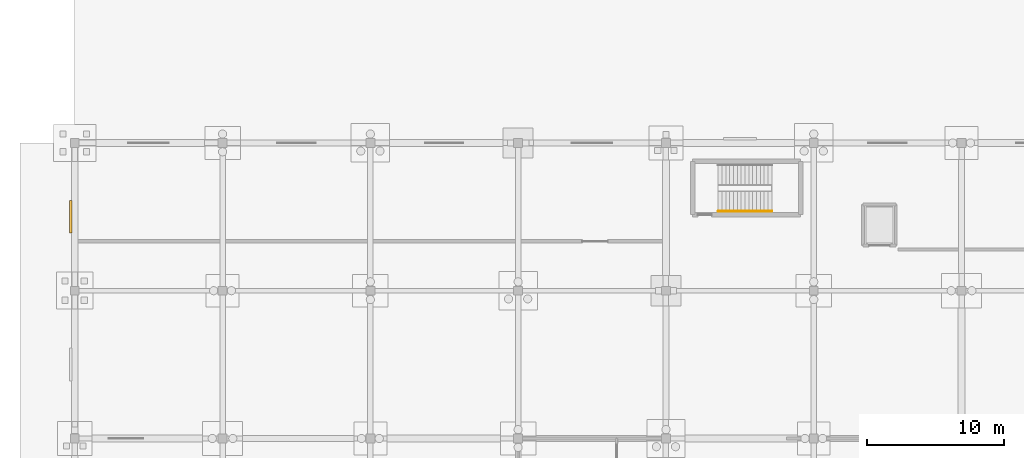
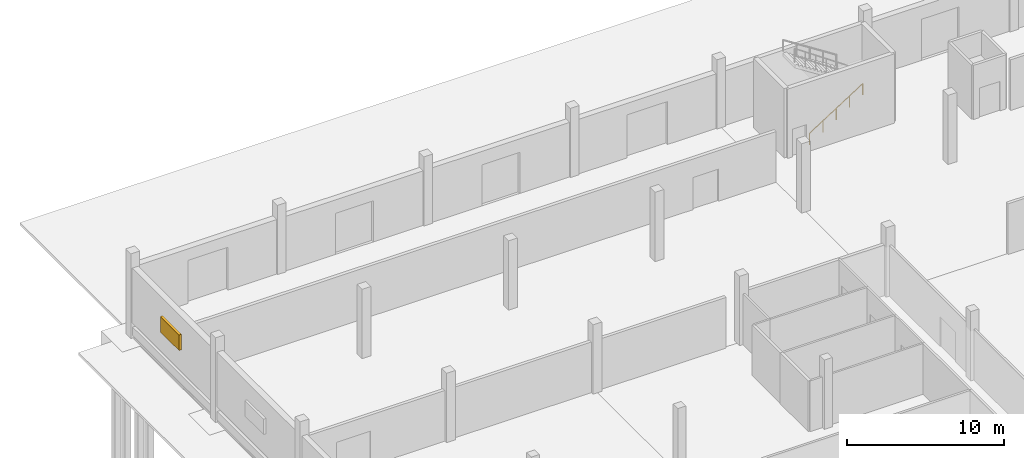
# One storey, part 131 of 138: 1 railing, 1 shading device.
"""IFC4 building model written with IfcOpenShell, lengths in metres."""

import ifcopenshell
import ifcopenshell.guid

model = None  # the IFC model being written
_history = None  # IfcOwnerHistory: only IFC2X3 demands one
_inside = {}  # id of a spatial element -> (the spatial element, [elements in it])
_under = {}  # id of a project, library or spatial element -> (it, [spatial elements below it])
_declared = {}  # id of a project -> (the project, [libraries it declares])
_typed = {}  # id of a type object -> (the type object, [elements of that type])
_made_of = {}  # id of a material, layer set ... -> (it, [elements and type objects made of it])


def new_model(schema):
    """Start an empty IFC model of exactly this schema.

    Asked for "IFC4X3", IfcOpenShell would pick the latest addendum, in which some entities
    have other attributes; the version numbers below select the first issue.
    IFC2X3 requires an IfcOwnerHistory on every rooted entity: one is made here for all.
    """
    global model, _history
    if schema == "IFC4X3":
        model = ifcopenshell.file(schema_version=(4, 3, 0, 0))
    else:
        model = ifcopenshell.file(schema=schema)
    _inside.clear()
    _under.clear()
    _declared.clear()
    _typed.clear()
    _made_of.clear()
    _history = None
    if model.schema == "IFC2X3":
        org = make("IfcOrganization", Name="unknown")
        user = make(
            "IfcPersonAndOrganization",
            ThePerson=make("IfcPerson", FamilyName="unknown"),
            TheOrganization=org,
        )
        app = make(
            "IfcApplication",
            ApplicationDeveloper=org,
            Version="unknown",
            ApplicationFullName="unknown",
            ApplicationIdentifier="unknown",
        )
        _history = make(
            "IfcOwnerHistory",
            OwningUser=user,
            OwningApplication=app,
            ChangeAction="ADDED",
            CreationDate=0,
        )
    return model


def make(cls, **values):
    """One entity of the class cls with the attributes given. An attribute that is None is left unset."""
    return model.create_entity(
        cls, **{name: value for name, value in values.items() if value is not None}
    )


def rooted(cls, **values):
    """An entity with a GlobalId (a new one), such as an element, a storey or a relation."""
    return make(cls, GlobalId=ifcopenshell.guid.new(), OwnerHistory=_history, **values)


def si_unit(unit_type, name, prefix=None):
    """IfcSIUnit, for example si_unit("LENGTHUNIT", "METRE", prefix="MILLI")."""
    return make("IfcSIUnit", UnitType=unit_type, Prefix=prefix, Name=name)


def assignment(units):
    """IfcUnitAssignment: the units of a project."""
    return None if units is None else make("IfcUnitAssignment", Units=units)


def point(xyz):
    """IfcCartesianPoint."""
    return None if xyz is None else make("IfcCartesianPoint", Coordinates=xyz)


def direction(xyz):
    """IfcDirection."""
    return None if xyz is None else make("IfcDirection", DirectionRatios=xyz)


def frame(location, z_axis=None, x_axis=None):
    """IfcAxis2Placement3D, a coordinate frame: its origin and axes. An axis left out is left unset."""
    return make(
        "IfcAxis2Placement3D",
        Location=point(location),
        Axis=direction(z_axis),
        RefDirection=direction(x_axis),
    )


def frame_2d(location, x_axis=None):
    """IfcAxis2Placement2D, a coordinate frame in the plane: its origin and x axis."""
    return make(
        "IfcAxis2Placement2D", Location=point(location), RefDirection=direction(x_axis)
    )


def origin():
    """The frame at (0, 0, 0) with its axes left unset."""
    return frame((0.0, 0.0, 0.0))


def origin_2d():
    """The frame at (0, 0) in the plane with its x axis left unset."""
    return frame_2d((0.0, 0.0))


def place(relative_to, where):
    """IfcLocalPlacement: puts the frame where relative to a parent placement (None: the world)."""
    return make(
        "IfcLocalPlacement", PlacementRelTo=relative_to, RelativePlacement=where
    )


def context(
    kind, dimensions, precision=None, world=None, true_north=None, identifier=None
):
    """IfcGeometricRepresentationContext, for example the 3D "Model" context."""
    return make(
        "IfcGeometricRepresentationContext",
        ContextIdentifier=identifier,
        ContextType=kind,
        CoordinateSpaceDimension=dimensions,
        Precision=precision,
        WorldCoordinateSystem=world,
        TrueNorth=true_north,
    )


def subcontext(parent, identifier, kind, view, scale=None):
    """IfcGeometricRepresentationSubContext, for example "Body" below "Model"."""
    return make(
        "IfcGeometricRepresentationSubContext",
        ContextIdentifier=identifier,
        ContextType=kind,
        ParentContext=parent,
        TargetScale=scale,
        TargetView=view,
    )


def project(units=None, contexts=None):
    """IfcProject with its units and contexts."""
    return rooted(
        "IfcProject",
        Name="project",
        RepresentationContexts=contexts,
        UnitsInContext=assignment(units),
    )


def spatial(cls, under=None, at=None, **own):
    """A site, building, storey or space (cls), placed at a placement, below another one or the project."""
    s = rooted(cls, ObjectPlacement=at, **own)
    if under is not None:
        _under.setdefault(under.id(), (under, []))[1].append(s)
    return s


def profile(cls, at=None, kind="AREA", **sizes):
    """A parametric profile (cls). Its sizes go by their IFC names, for example OverallWidth=200.0."""
    return make(cls, ProfileType=kind, Position=at, **sizes)


def rectangle(**sizes):
    """IfcRectangleProfileDef."""
    return profile("IfcRectangleProfileDef", **sizes)


def circle(**sizes):
    """IfcCircleProfileDef."""
    return profile("IfcCircleProfileDef", **sizes)


def extrude(swept, where, along, depth):
    """IfcExtrudedAreaSolid: the profile swept, set in the frame where, extruded along a direction by depth."""
    return make(
        "IfcExtrudedAreaSolid",
        SweptArea=swept,
        Position=where,
        ExtrudedDirection=direction(along),
        Depth=depth,
    )


def shape(context_of_items, identifier, shape_type, items):
    """IfcShapeRepresentation: the items that make up one representation, for example the "Body"."""
    return make(
        "IfcShapeRepresentation",
        ContextOfItems=context_of_items,
        RepresentationIdentifier=identifier,
        RepresentationType=shape_type,
        Items=items,
    )


def material(Name=None, Category=None):
    """IfcMaterial."""
    return make("IfcMaterial", Name=Name, Category=Category)


def made_of(thing, what):
    """Note that an element or type object is made of a material, layer set ...; save() writes the relation."""
    if what is not None:
        _made_of.setdefault(what.id(), (what, []))[1].append(thing)
    return thing


def type_object(cls, material=None, **own):
    """A type object (cls), such as IfcWallType, which elements share."""
    return made_of(rooted(cls, **own), material)


def element(
    cls,
    number,
    at=None,
    inside=None,
    cuts=None,
    type_object=None,
    material=None,
    context=None,
    identifier="Body",
    shape_type=None,
    held_by="IfcProductDefinitionShape",
    body=None,
    shapes=None,
    **own,
):
    """One element of the class cls, such as IfcWall. Its Tag is "e" and its number.

    at: its placement. inside: the storey or other place that contains it. cuts: it is an
    opening in that element (IfcRelVoidsElement). A single representation is given by context,
    identifier, shape_type and body (its items); several are given by shapes. held_by: the class
    of the entity that holds the representations. save() writes the other relations.
    """
    e = rooted(cls, Tag="e%d" % number, ObjectPlacement=at, **own)
    if body is not None:
        shapes = [shape(context, identifier, shape_type, body)]
    if shapes is not None:
        e.Representation = make(held_by, Representations=shapes)
    if inside is not None:
        _inside.setdefault(inside.id(), (inside, []))[1].append(e)
    if cuts is not None:
        rooted(
            "IfcRelVoidsElement", RelatingBuildingElement=cuts, RelatedOpeningElement=e
        )
    if type_object is not None:
        _typed.setdefault(type_object.id(), (type_object, []))[1].append(e)
    return made_of(e, material)


def aggregate(whole, parts):
    """IfcRelAggregates: a whole, such as a stair, and the parts it consists of."""
    return rooted("IfcRelAggregates", RelatingObject=whole, RelatedObjects=parts)


def save(model, path):
    """Write the relations noted so far, then the file.

    IfcRelAggregates (storeys below a building ...), IfcRelContainedInSpatialStructure (elements
    in a storey), IfcRelDefinesByType, IfcRelAssociatesMaterial and IfcRelDeclares: one each for
    every whole, place, type object, material and project.
    """
    for whole, parts in _under.values():
        aggregate(whole, parts)
    for where, things in _inside.values():
        rooted(
            "IfcRelContainedInSpatialStructure",
            RelatedElements=things,
            RelatingStructure=where,
        )
    for kind, things in _typed.values():
        rooted("IfcRelDefinesByType", RelatedObjects=things, RelatingType=kind)
    for what, things in _made_of.values():
        rooted("IfcRelAssociatesMaterial", RelatedObjects=things, RelatingMaterial=what)
    for by, libraries in _declared.values():
        rooted("IfcRelDeclares", RelatingContext=by, RelatedDefinitions=libraries)
    model.write(path)


model = new_model("IFC4")

# Units and contexts
model_context = context("Model", 3, precision=1e-05, world=origin(), true_north=direction((0.0, 1.0)))
body_context = subcontext(model_context, "Body", "Model", "MODEL_VIEW")
ifc_project = project(units=[si_unit("LENGTHUNIT", "METRE"), si_unit("AREAUNIT", "SQUARE_METRE"), si_unit("VOLUMEUNIT", "CUBIC_METRE"), si_unit("PLANEANGLEUNIT", "RADIAN"), si_unit("MASSUNIT", "GRAM", prefix="KILO")], contexts=[model_context])

# Site, building, storey
site_placement = place(None, origin())
site = spatial("IfcSite", under=ifc_project, at=site_placement, CompositionType="ELEMENT")
building_placement = place(site_placement, origin())
building = spatial("IfcBuilding", under=site, at=building_placement, Name="Zwinboog Wholesale Market", CompositionType="ELEMENT")
storey_placement = place(building_placement, origin())
storey = spatial("IfcBuildingStorey", under=building, at=storey_placement, Name="L00", CompositionType="ELEMENT", Elevation=0.0)

# Shading device
ifc_material_1 = material(Name="Western red cedar timber", Category="wood")
shading_device_type = type_object("IfcShadingDeviceType", Name="SHD-LVR-CEDAR", PredefinedType="JALOUSIE", material=ifc_material_1)
shading_device_placement = place(storey_placement, frame((-0.3076171875, 124.199951171875, 1.7001953125), z_axis=(0.0, 0.0, 1.0), x_axis=(0.0, 1.0, 0.0)))
element("IfcShadingDevice", 1, at=shading_device_placement, inside=storey, type_object=shading_device_type, Name="LV-01 (SHD-LVR-02)", PredefinedType="JALOUSIE", context=body_context, shape_type="SweptSolid", body=[
    extrude(rectangle(XDim=2.39990234375, YDim=0.179931640625, at=origin_2d()), origin(), (0.0, 0.0, 1.0), 1.199951171875),
])

# Railing
ifc_material_2 = material(Name="Steel S355", Category="steel")
railing_type = type_object("IfcRailingType", Name="RLT-HANDRAIL", PredefinedType="HANDRAIL", material=ifc_material_2)
railing_placement = place(storey_placement, frame((47.02001953125, 124.610107421875, 0.179931640625)))
element("IfcRailing", 2, at=railing_placement, inside=storey, type_object=railing_type, Name="HR-01 (RLG-ST-03-HR1)", PredefinedType="HANDRAIL", context=body_context, shape_type="SweptSolid", body=[
    extrude(circle(Radius=0.02392578125, at=origin_2d()), frame((0.0, 0.0, 0.8759765625), z_axis=(0.841171666519, 0.0, 0.540768182723), x_axis=(0.0, 1.0, 0.0)), (0.0, 0.0, 1.0), 4.66015625),
    extrude(circle(Radius=0.02099609375, at=origin_2d()), origin(), (0.0, 0.0, 1.0), 0.851806640625),
    extrude(circle(Radius=0.02099609375, at=origin_2d()), frame((0.97998046875, 0.0, 0.6298828125)), (0.0, 0.0, 1.0), 0.851806640625),
    extrude(circle(Radius=0.02099609375, at=origin_2d()), frame((1.9599609375, 0.0, 1.260009765625)), (0.0, 0.0, 1.0), 0.851806640625),
    extrude(circle(Radius=0.02099609375, at=origin_2d()), frame((2.93994140625, 0.0, 1.89013671875)), (0.0, 0.0, 1.0), 0.851806640625),
    extrude(circle(Radius=0.02099609375, at=origin_2d()), frame((3.919921875, 0.0, 2.52001953125)), (0.0, 0.0, 1.0), 0.851806640625),
])

save(model, "model.ifc")
